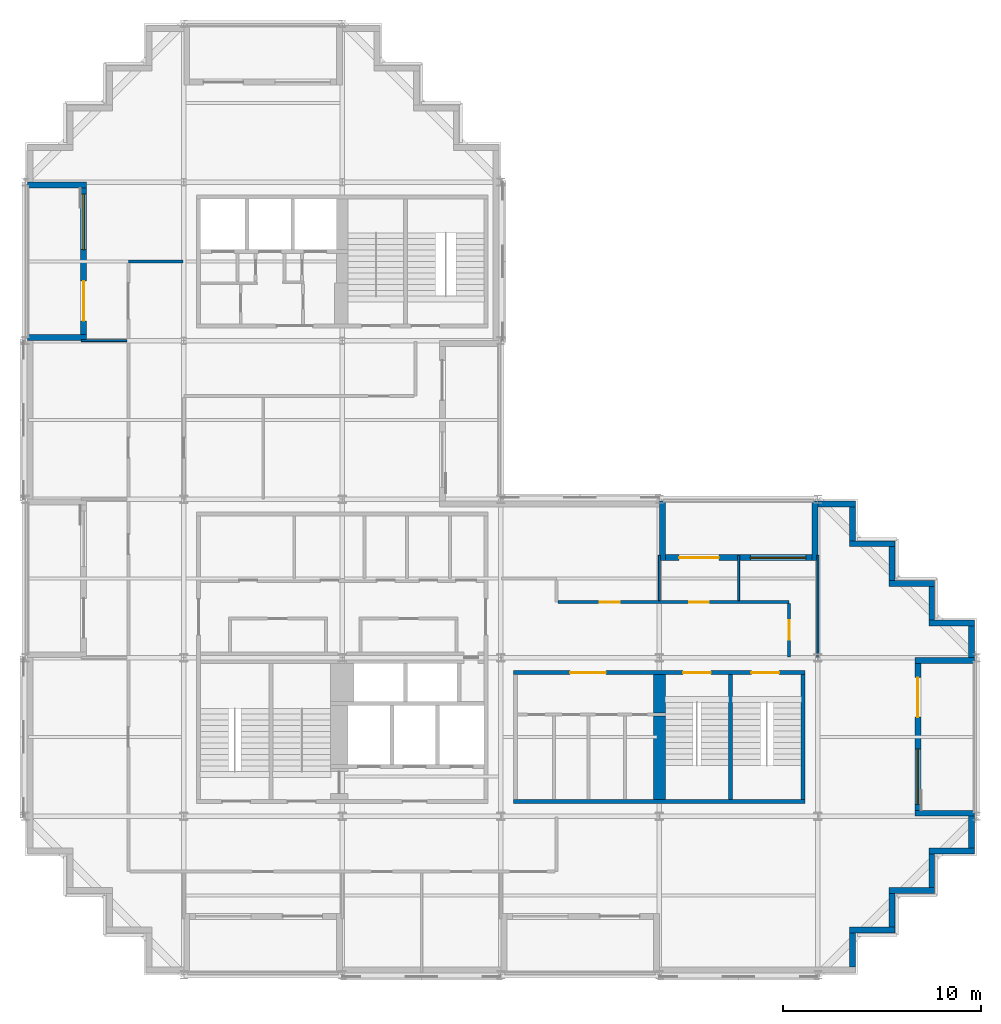
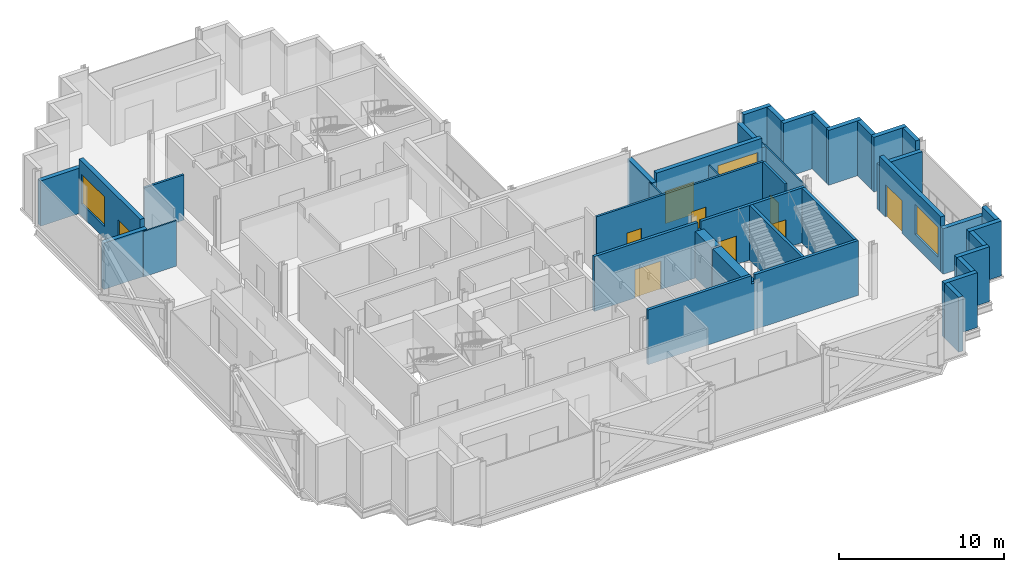
# One storey, part 7 of 10: 37 walls, 9 doors, 3 windows, 12 openings.
"""IFC4 building model written with IfcOpenShell, lengths in metres."""

from ifc_helpers import new_model, si_unit, direction, frame, frame_2d, origin, place, context, subcontext, project, spatial, polyline, rectangle, outline, extrude, material, layer, layer_set, type_object, element, fill, save


model = new_model("IFC4")

# Units and contexts
model_context = context("Model", 3, precision=1e-05, world=origin(), true_north=direction((0.0, 1.0)))
body_context = subcontext(model_context, "Body", "Model", "MODEL_VIEW")
ifc_project = project(units=[si_unit("LENGTHUNIT", "METRE"), si_unit("AREAUNIT", "SQUARE_METRE"), si_unit("VOLUMEUNIT", "CUBIC_METRE"), si_unit("PLANEANGLEUNIT", "RADIAN"), si_unit("MASSUNIT", "GRAM", prefix="KILO")], contexts=[model_context])

# Site, building, storey
site_placement = place(None, origin())
site = spatial("IfcSite", under=ifc_project, at=site_placement, CompositionType="ELEMENT")
building_placement = place(site_placement, origin())
building = spatial("IfcBuilding", under=site, at=building_placement, Name="Immortelle Media Tower", CompositionType="ELEMENT")
storey_placement = place(building_placement, frame((0.0, 0.0, 162.0)))
storey = spatial("IfcBuildingStorey", under=building, at=storey_placement, Name="L33", CompositionType="ELEMENT", Elevation=162.0)

# Wall, opening, door
ifc_material_1 = material(Name="Fire-rated gypsum board", Category="gypsum")
ifc_layer_1 = layer(ifc_material_1, 0.012451171875)
ifc_material_2 = material(Name="Steel ASTM A653 SS Gr 50 stud frame with mineral wool", Category="steel")
ifc_layer_2 = layer(ifc_material_2, 0.125)
ifc_layer_3 = layer(ifc_material_1, 0.012451171875)
ifc_layer_set_1 = layer_set([ifc_layer_1, ifc_layer_2, ifc_layer_3], Name="Steel ASTM A653 SS Gr 50 stud frame with mineral wool")
wall_type_1 = type_object("IfcWallType", Name="Corridor wall 150", PredefinedType="PARTITIONING", material=ifc_layer_set_1)
wall_1_placement = place(storey_placement, frame((38.550048828125, 16.030029296875, 0.0), z_axis=(0.0, 0.0, 1.0), x_axis=(0.0, 1.0, 0.0)))
wall_1 = element("IfcWall", 1, at=wall_1_placement, inside=storey, type_object=wall_type_1, Name="Partition L33-009", PredefinedType="PARTITIONING", context=body_context, shape_type="SweptSolid", body=[
    extrude(rectangle(XDim=2.695068359375, YDim=0.14990234375, at=frame_2d((1.34765625, 0.0))), origin(), (0.0, 0.0, 1.0), 4.050048828125),
])
opening_1_placement = place(wall_1_placement, frame((1.8701171875, 0.0, 0.0), z_axis=(0.0, 0.0, 1.0), x_axis=(-1.0, 0.0, 0.0)))
opening_1 = element("IfcOpeningElement", 2, at=opening_1_placement, cuts=wall_1, Name="Opening C4-F007", PredefinedType="OPENING", context=body_context, shape_type="SweptSolid", body=[
    extrude(rectangle(XDim=1.0, YDim=2.10009765625, at=frame_2d((0.5, 1.050048828125))), frame((0.0, 0.0849609375, 0.0), z_axis=(0.0, -1.0, 0.0), x_axis=(1.0, 0.0, 0.0)), (0.0, 0.0, 1.0), 0.169921875),
])
ifc_material_3 = material(Name="Timber veneered door leaf, galvanised steel frame ASTM A653", Category="steel")
door_type_1 = type_object("IfcDoorType", Name="Room door 1000 x 2100", OperationType="NOTDEFINED", PredefinedType="DOOR", material=ifc_material_3)
door_1_placement = place(opening_1_placement, origin())
door_1 = element("IfcDoor", 3, at=door_1_placement, inside=storey, type_object=door_type_1, Name="Door C4-F007", OperationType="SINGLE_SWING_RIGHT", OverallHeight=2.10009765625, OverallWidth=1.0, PredefinedType="DOOR", context=body_context, shape_type="SweptSolid", body=[
    extrude(rectangle(XDim=1.0, YDim=2.10009765625, at=frame_2d((0.5, 1.050048828125))), frame((0.0, 0.02490234375, 0.0), z_axis=(0.0, -1.0, 0.0), x_axis=(1.0, 0.0, 0.0)), (0.0, 0.0, 1.0), 0.050048828125),
])
fill(opening_1, door_1)

# Wall, openings, doors
wall_2_placement = place(storey_placement, frame((26.875, 18.800048828125, 0.0), z_axis=(0.0, 0.0, 1.0), x_axis=(1.0, 0.0, 0.0)))
wall_2 = element("IfcWall", 4, at=wall_2_placement, inside=storey, type_object=wall_type_1, Name="Partition L33-011", PredefinedType="PARTITIONING", context=body_context, shape_type="SweptSolid", body=[
    extrude(rectangle(XDim=11.675048828125, YDim=0.14990234375, at=frame_2d((5.83740234375, 0.0))), origin(), (0.0, 0.0, 1.0), 4.050048828125),
])
opening_2_placement = place(wall_2_placement, frame((6.625, 0.0, 0.0)))
opening_2 = element("IfcOpeningElement", 5, at=opening_2_placement, cuts=wall_2, Name="Opening C4-F006", PredefinedType="OPENING", context=body_context, shape_type="SweptSolid", body=[
    extrude(rectangle(XDim=1.0, YDim=2.10009765625, at=frame_2d((0.5, 1.050048828125))), frame((0.0, 0.0849609375, 0.0), z_axis=(0.0, -1.0, 0.0), x_axis=(1.0, 0.0, 0.0)), (0.0, 0.0, 1.0), 0.169921875),
])
opening_3_placement = place(wall_2_placement, frame((2.125, 0.0, 0.0)))
opening_3 = element("IfcOpeningElement", 6, at=opening_3_placement, cuts=wall_2, Name="Opening C4-F009", PredefinedType="OPENING", context=body_context, shape_type="SweptSolid", body=[
    extrude(rectangle(XDim=1.0, YDim=2.10009765625, at=frame_2d((0.5, 1.050048828125))), frame((0.0, 0.0849609375, 0.0), z_axis=(0.0, -1.0, 0.0), x_axis=(1.0, 0.0, 0.0)), (0.0, 0.0, 1.0), 0.169921875),
])
door_2_placement = place(opening_2_placement, origin())
door_2 = element("IfcDoor", 7, at=door_2_placement, inside=storey, type_object=door_type_1, Name="Door C4-F006", OperationType="SINGLE_SWING_RIGHT", OverallHeight=2.10009765625, OverallWidth=1.0, PredefinedType="DOOR", context=body_context, shape_type="SweptSolid", body=[
    extrude(rectangle(XDim=1.0, YDim=2.10009765625, at=frame_2d((0.5, 1.050048828125))), frame((0.0, 0.02490234375, 0.0), z_axis=(0.0, -1.0, 0.0), x_axis=(1.0, 0.0, 0.0)), (0.0, 0.0, 1.0), 0.050048828125),
])
fill(opening_2, door_2)
door_3_placement = place(opening_3_placement, origin())
door_3 = element("IfcDoor", 8, at=door_3_placement, inside=storey, type_object=door_type_1, Name="Door C4-F009", OperationType="SINGLE_SWING_LEFT", OverallHeight=2.10009765625, OverallWidth=1.0, PredefinedType="DOOR", context=body_context, shape_type="SweptSolid", body=[
    extrude(rectangle(XDim=1.0, YDim=2.10009765625, at=frame_2d((0.5, 1.050048828125))), frame((0.0, 0.02490234375, 0.0), z_axis=(0.0, -1.0, 0.0), x_axis=(1.0, 0.0, 0.0)), (0.0, 0.0, 1.0), 0.050048828125),
])
fill(opening_3, door_3)

# Walls
wall_3_placement = place(storey_placement, frame((5.199951171875, 36.0, 0.0), z_axis=(0.0, 0.0, 1.0), x_axis=(1.0, 0.0, 0.0)))
element("IfcWall", 9, at=wall_3_placement, inside=storey, type_object=wall_type_1, Name="Partition L33-022", PredefinedType="PARTITIONING", context=body_context, shape_type="SweptSolid", body=[
    extrude(rectangle(XDim=2.77001953125, YDim=0.14990234375, at=frame_2d((1.385009765625, 0.0))), origin(), (0.0, 0.0, 1.0), 3.35400390625),
])
ifc_material_4 = material(Name="Pale aluminium cladding panel", Category="aluminium")
ifc_layer_4 = layer(ifc_material_4, 0.030029296875)
ifc_layer_5 = layer(ifc_material_2, 0.257568359375)
ifc_material_5 = material(Name="Moisture-resistant gypsum board", Category="gypsum")
ifc_layer_6 = layer(ifc_material_5, 0.012451171875)
ifc_layer_set_2 = layer_set([ifc_layer_4, ifc_layer_5, ifc_layer_6], Name="Steel ASTM A653 SS Gr 50 stud frame with mineral wool")
wall_type_2 = type_object("IfcWallType", Name="Facade wall 300", PredefinedType="SOLIDWALL", material=ifc_layer_set_2)
wall_4_placement = place(storey_placement, frame((41.75, 0.39990234375, 0.0), z_axis=(0.0, 0.0, 1.0), x_axis=(0.0, 1.0, 0.0)))
element("IfcWall", 10, at=wall_4_placement, inside=storey, type_object=wall_type_2, Name="Facade wall L33 E7", PredefinedType="SOLIDWALL", context=body_context, shape_type="SweptSolid", body=[
    extrude(rectangle(XDim=1.7001953125, YDim=0.300048828125, at=frame_2d((0.85009765625, 0.0))), origin(), (0.0, 0.0, 1.0), 4.050048828125),
])
wall_5_placement = place(storey_placement, frame((41.60009765625, 2.25, 0.0), z_axis=(0.0, 0.0, 1.0), x_axis=(1.0, 0.0, 0.0)))
element("IfcWall", 11, at=wall_5_placement, inside=storey, type_object=wall_type_2, Name="Facade wall L33 S8", PredefinedType="SOLIDWALL", context=body_context, shape_type="SweptSolid", body=[
    extrude(rectangle(XDim=2.2998046875, YDim=0.300048828125, at=frame_2d((1.14990234375, 0.0))), origin(), (0.0, 0.0, 1.0), 4.050048828125),
])
wall_6_placement = place(storey_placement, frame((43.75, 2.39990234375, 0.0), z_axis=(0.0, 0.0, 1.0), x_axis=(0.0, 1.0, 0.0)))
element("IfcWall", 12, at=wall_6_placement, inside=storey, type_object=wall_type_2, Name="Facade wall L33 E9", PredefinedType="SOLIDWALL", context=body_context, shape_type="SweptSolid", body=[
    extrude(rectangle(XDim=1.7001953125, YDim=0.300048828125, at=frame_2d((0.85009765625, 0.0))), origin(), (0.0, 0.0, 1.0), 4.050048828125),
])
wall_7_placement = place(storey_placement, frame((43.60009765625, 4.25, 0.0), z_axis=(0.0, 0.0, 1.0), x_axis=(1.0, 0.0, 0.0)))
element("IfcWall", 13, at=wall_7_placement, inside=storey, type_object=wall_type_2, Name="Facade wall L33 S10", PredefinedType="SOLIDWALL", context=body_context, shape_type="SweptSolid", body=[
    extrude(rectangle(XDim=2.2998046875, YDim=0.300048828125, at=frame_2d((1.14990234375, 0.0))), origin(), (0.0, 0.0, 1.0), 4.050048828125),
])
wall_8_placement = place(storey_placement, frame((45.75, 4.39990234375, 0.0), z_axis=(0.0, 0.0, 1.0), x_axis=(0.0, 1.0, 0.0)))
element("IfcWall", 14, at=wall_8_placement, inside=storey, type_object=wall_type_2, Name="Facade wall L33 E11", PredefinedType="SOLIDWALL", context=body_context, shape_type="SweptSolid", body=[
    extrude(rectangle(XDim=1.7001953125, YDim=0.300048828125, at=frame_2d((0.85009765625, 0.0))), origin(), (0.0, 0.0, 1.0), 4.050048828125),
])
wall_9_placement = place(storey_placement, frame((45.60009765625, 6.25, 0.0), z_axis=(0.0, 0.0, 1.0), x_axis=(1.0, 0.0, 0.0)))
element("IfcWall", 15, at=wall_9_placement, inside=storey, type_object=wall_type_2, Name="Facade wall L33 S12", PredefinedType="SOLIDWALL", context=body_context, shape_type="SweptSolid", body=[
    extrude(rectangle(XDim=2.2998046875, YDim=0.300048828125, at=frame_2d((1.14990234375, 0.0))), origin(), (0.0, 0.0, 1.0), 4.050048828125),
])
wall_10_placement = place(storey_placement, frame((47.75, 6.39990234375, 0.0), z_axis=(0.0, 0.0, 1.0), x_axis=(0.0, 1.0, 0.0)))
element("IfcWall", 16, at=wall_10_placement, inside=storey, type_object=wall_type_2, Name="Facade wall L33 E13", PredefinedType="SOLIDWALL", context=body_context, shape_type="SweptSolid", body=[
    extrude(rectangle(XDim=1.60009765625, YDim=0.300048828125, at=frame_2d((0.800048828125, 0.0))), origin(), (0.0, 0.0, 1.0), 4.050048828125),
])

# Wall, openings, door, window
wall_11_placement = place(storey_placement, frame((45.050048828125, 8.300048828125, 0.0), z_axis=(0.0, 0.0, 1.0), x_axis=(0.0, 1.0, 0.0)))
wall_11 = element("IfcWall", 17, at=wall_11_placement, inside=storey, type_object=wall_type_2, Name="Loggia wall L33 E13", PredefinedType="SOLIDWALL", context=body_context, shape_type="SweptSolid", body=[
    extrude(rectangle(XDim=7.39990234375, YDim=0.300048828125, at=frame_2d((3.699951171875, 0.0))), origin(), (0.0, 0.0, 1.0), 4.050048828125),
])
opening_4_placement = place(wall_11_placement, frame((0.300048828125, 0.0, 0.89990234375)))
opening_4 = element("IfcOpeningElement", 18, at=opening_4_placement, cuts=wall_11, Name="Opening W1", PredefinedType="OPENING", context=body_context, shape_type="SweptSolid", body=[
    extrude(rectangle(XDim=2.800048828125, YDim=2.199951171875, at=frame_2d((1.39990234375, 1.10009765625))), frame((0.0, 0.159912109375, 0.0), z_axis=(0.0, -1.0, 0.0), x_axis=(1.0, 0.0, 0.0)), (0.0, 0.0, 1.0), 0.320068359375),
])
opening_5_placement = place(wall_11_placement, frame((4.699951171875, 0.0, 0.0)))
opening_5 = element("IfcOpeningElement", 19, at=opening_5_placement, cuts=wall_11, Name="Opening C4-E003", PredefinedType="OPENING", context=body_context, shape_type="SweptSolid", body=[
    extrude(rectangle(XDim=2.0, YDim=2.39990234375, at=frame_2d((1.0, 1.199951171875))), frame((0.0, 0.159912109375, 0.0), z_axis=(0.0, -1.0, 0.0), x_axis=(1.0, 0.0, 0.0)), (0.0, 0.0, 1.0), 0.320068359375),
])
ifc_material_6 = material(Name="Aluminium frame, glazed leaves", Category="aluminium")
door_type_2 = type_object("IfcDoorType", Name="Loggia door 2000 x 2400", OperationType="DOUBLE_DOOR_SINGLE_SWING", PredefinedType="DOOR", material=ifc_material_6)
door_4_placement = place(opening_5_placement, origin())
door_4 = element("IfcDoor", 20, at=door_4_placement, inside=storey, type_object=door_type_2, Name="Door C4-E003", OperationType="DOUBLE_DOOR_SINGLE_SWING", OverallHeight=2.39990234375, OverallWidth=2.0, PredefinedType="DOOR", context=body_context, shape_type="SweptSolid", body=[
    extrude(rectangle(XDim=2.0, YDim=2.39990234375, at=frame_2d((1.0, 1.199951171875))), frame((0.0, 0.02490234375, 0.0), z_axis=(0.0, -1.0, 0.0), x_axis=(1.0, 0.0, 0.0)), (0.0, 0.0, 1.0), 0.050048828125),
])
fill(opening_5, door_4)
ifc_material_7 = material(Name="Aluminium frame", Category="aluminium")
window_type = type_object("IfcWindowType", Name="Window 2800 x 2200", PartitioningType="SINGLE_PANEL", PredefinedType="WINDOW", material=ifc_material_7)
window_1_placement = place(opening_4_placement, origin())
window_1 = element("IfcWindow", 21, at=window_1_placement, inside=storey, type_object=window_type, Name="Window L33 L33-R13-B0", OverallHeight=2.199951171875, OverallWidth=2.800048828125, PartitioningType="SINGLE_PANEL", PredefinedType="WINDOW", context=body_context, shape_type="SweptSolid", body=[
    extrude(rectangle(XDim=2.800048828125, YDim=2.199951171875, at=frame_2d((1.39990234375, 1.10009765625))), frame((0.0, 0.030029296875, 0.0), z_axis=(0.0, -1.0, 0.0), x_axis=(1.0, 0.0, 0.0)), (0.0, 0.0, 1.0), 0.06005859375),
])
fill(opening_4, window_1)

# Walls
for number, where, z_axis, x_axis, name in (
    (22, (47.89990234375, 8.14990234375, 0.0), (0.0, 0.0, 1.0), (-1.0, 0.0, 0.0), "Loggia cheek wall L33 E"),
    (23, (47.89990234375, 15.85009765625, 0.0), (0.0, 0.0, 1.0), (-1.0, 0.0, 0.0), "Loggia cheek wall L33 E"),
):
    element("IfcWall", number, at=place(storey_placement, frame(where, z_axis=z_axis, x_axis=x_axis)), inside=storey, type_object=wall_type_2, Name=name, PredefinedType="SOLIDWALL", context=body_context, shape_type="SweptSolid", body=[
        extrude(rectangle(XDim=3.0, YDim=0.300048828125, at=frame_2d((1.5, 0.0))), origin(), (0.0, 0.0, 1.0), 3.35302734375),
    ])
wall_12_placement = place(storey_placement, frame((47.75, 16.0, 0.0), z_axis=(0.0, 0.0, 1.0), x_axis=(0.0, 1.0, 0.0)))
element("IfcWall", 24, at=wall_12_placement, inside=storey, type_object=wall_type_2, Name="Facade wall L33 E13", PredefinedType="SOLIDWALL", context=body_context, shape_type="SweptSolid", body=[
    extrude(rectangle(XDim=1.60009765625, YDim=0.300048828125, at=frame_2d((0.800048828125, 0.0))), origin(), (0.0, 0.0, 1.0), 4.050048828125),
])
wall_13_placement = place(storey_placement, frame((47.89990234375, 17.75, 0.0), z_axis=(0.0, 0.0, 1.0), x_axis=(-1.0, 0.0, 0.0)))
element("IfcWall", 25, at=wall_13_placement, inside=storey, type_object=wall_type_2, Name="Facade wall L33 N14", PredefinedType="SOLIDWALL", context=body_context, shape_type="SweptSolid", body=[
    extrude(rectangle(XDim=2.2998046875, YDim=0.300048828125, at=frame_2d((1.14990234375, 0.0))), origin(), (0.0, 0.0, 1.0), 4.050048828125),
])
wall_14_placement = place(storey_placement, frame((45.75, 17.89990234375, 0.0), z_axis=(0.0, 0.0, 1.0), x_axis=(0.0, 1.0, 0.0)))
element("IfcWall", 26, at=wall_14_placement, inside=storey, type_object=wall_type_2, Name="Facade wall L33 E15", PredefinedType="SOLIDWALL", context=body_context, shape_type="SweptSolid", body=[
    extrude(rectangle(XDim=1.7001953125, YDim=0.300048828125, at=frame_2d((0.85009765625, 0.0))), origin(), (0.0, 0.0, 1.0), 4.050048828125),
])
wall_15_placement = place(storey_placement, frame((45.89990234375, 19.75, 0.0), z_axis=(0.0, 0.0, 1.0), x_axis=(-1.0, 0.0, 0.0)))
element("IfcWall", 27, at=wall_15_placement, inside=storey, type_object=wall_type_2, Name="Facade wall L33 N16", PredefinedType="SOLIDWALL", context=body_context, shape_type="SweptSolid", body=[
    extrude(rectangle(XDim=2.2998046875, YDim=0.300048828125, at=frame_2d((1.14990234375, 0.0))), origin(), (0.0, 0.0, 1.0), 4.050048828125),
])
wall_16_placement = place(storey_placement, frame((43.75, 19.89990234375, 0.0), z_axis=(0.0, 0.0, 1.0), x_axis=(0.0, 1.0, 0.0)))
element("IfcWall", 28, at=wall_16_placement, inside=storey, type_object=wall_type_2, Name="Facade wall L33 E17", PredefinedType="SOLIDWALL", context=body_context, shape_type="SweptSolid", body=[
    extrude(rectangle(XDim=1.7001953125, YDim=0.300048828125, at=frame_2d((0.85009765625, 0.0))), origin(), (0.0, 0.0, 1.0), 4.050048828125),
])
wall_17_placement = place(storey_placement, frame((43.89990234375, 21.75, 0.0), z_axis=(0.0, 0.0, 1.0), x_axis=(-1.0, 0.0, 0.0)))
element("IfcWall", 29, at=wall_17_placement, inside=storey, type_object=wall_type_2, Name="Facade wall L33 N18", PredefinedType="SOLIDWALL", context=body_context, shape_type="SweptSolid", body=[
    extrude(rectangle(XDim=2.2998046875, YDim=0.300048828125, at=frame_2d((1.14990234375, 0.0))), origin(), (0.0, 0.0, 1.0), 4.050048828125),
])
wall_18_placement = place(storey_placement, frame((41.75, 21.89990234375, 0.0), z_axis=(0.0, 0.0, 1.0), x_axis=(0.0, 1.0, 0.0)))
element("IfcWall", 30, at=wall_18_placement, inside=storey, type_object=wall_type_2, Name="Facade wall L33 E19", PredefinedType="SOLIDWALL", context=body_context, shape_type="SweptSolid", body=[
    extrude(rectangle(XDim=1.7001953125, YDim=0.300048828125, at=frame_2d((0.85009765625, 0.0))), origin(), (0.0, 0.0, 1.0), 4.050048828125),
])
wall_19_placement = place(storey_placement, frame((41.89990234375, 23.75, 0.0), z_axis=(0.0, 0.0, 1.0), x_axis=(-1.0, 0.0, 0.0)))
element("IfcWall", 31, at=wall_19_placement, inside=storey, type_object=wall_type_2, Name="Facade wall L33 N20", PredefinedType="SOLIDWALL", context=body_context, shape_type="SweptSolid", body=[
    extrude(rectangle(XDim=1.89990234375, YDim=0.300048828125, at=frame_2d((0.949951171875, 0.0))), origin(), (0.0, 0.0, 1.0), 4.050048828125),
])

# Wall, openings, door, window
wall_20_placement = place(storey_placement, frame((39.699951171875, 21.050048828125, 0.0), z_axis=(0.0, 0.0, 1.0), x_axis=(-1.0, 0.0, 0.0)))
wall_20 = element("IfcWall", 32, at=wall_20_placement, inside=storey, type_object=wall_type_2, Name="Loggia wall L33 N20", PredefinedType="SOLIDWALL", context=body_context, shape_type="SweptSolid", body=[
    extrude(rectangle(XDim=7.39990234375, YDim=0.300048828125, at=frame_2d((3.699951171875, 0.0))), origin(), (0.0, 0.0, 1.0), 4.050048828125),
])
opening_6_placement = place(wall_20_placement, frame((0.300048828125, 0.0, 0.89990234375)))
opening_6 = element("IfcOpeningElement", 33, at=opening_6_placement, cuts=wall_20, Name="Opening W1", PredefinedType="OPENING", context=body_context, shape_type="SweptSolid", body=[
    extrude(rectangle(XDim=2.800048828125, YDim=2.199951171875, at=frame_2d((1.39990234375, 1.10009765625))), frame((0.0, 0.159912109375, 0.0), z_axis=(0.0, -1.0, 0.0), x_axis=(1.0, 0.0, 0.0)), (0.0, 0.0, 1.0), 0.320068359375),
])
opening_7_placement = place(wall_20_placement, frame((4.699951171875, 0.0, 0.0)))
opening_7 = element("IfcOpeningElement", 34, at=opening_7_placement, cuts=wall_20, Name="Opening C4-E004", PredefinedType="OPENING", context=body_context, shape_type="SweptSolid", body=[
    extrude(rectangle(XDim=2.0, YDim=2.39990234375, at=frame_2d((1.0, 1.199951171875))), frame((0.0, 0.159912109375, 0.0), z_axis=(0.0, -1.0, 0.0), x_axis=(1.0, 0.0, 0.0)), (0.0, 0.0, 1.0), 0.320068359375),
])
door_5_placement = place(opening_7_placement, origin())
door_5 = element("IfcDoor", 35, at=door_5_placement, inside=storey, type_object=door_type_2, Name="Door C4-E004", OperationType="DOUBLE_DOOR_SINGLE_SWING", OverallHeight=2.39990234375, OverallWidth=2.0, PredefinedType="DOOR", context=body_context, shape_type="SweptSolid", body=[
    extrude(rectangle(XDim=2.0, YDim=2.39990234375, at=frame_2d((1.0, 1.199951171875))), frame((0.0, 0.02490234375, 0.0), z_axis=(0.0, -1.0, 0.0), x_axis=(1.0, 0.0, 0.0)), (0.0, 0.0, 1.0), 0.050048828125),
])
fill(opening_7, door_5)
window_2_placement = place(opening_6_placement, origin())
window_2 = element("IfcWindow", 36, at=window_2_placement, inside=storey, type_object=window_type, Name="Window L33 L33-R20-B0", OverallHeight=2.199951171875, OverallWidth=2.800048828125, PartitioningType="SINGLE_PANEL", PredefinedType="WINDOW", context=body_context, shape_type="SweptSolid", body=[
    extrude(rectangle(XDim=2.800048828125, YDim=2.199951171875, at=frame_2d((1.39990234375, 1.10009765625))), frame((0.0, 0.030029296875, 0.0), z_axis=(0.0, -1.0, 0.0), x_axis=(1.0, 0.0, 0.0)), (0.0, 0.0, 1.0), 0.06005859375),
])
fill(opening_6, window_2)

# Walls
wall_21_placement = place(storey_placement, frame((39.85009765625, 23.89990234375, 0.0), z_axis=(0.0, 0.0, 1.0), x_axis=(0.0, -1.0, 0.0)))
element("IfcWall", 37, at=wall_21_placement, inside=storey, type_object=wall_type_2, Name="Loggia cheek wall L33 N", PredefinedType="SOLIDWALL", context=body_context, shape_type="SweptSolid", body=[
    extrude(rectangle(XDim=3.0, YDim=0.300048828125, at=frame_2d((1.5, 0.0))), origin(), (0.0, 0.0, 1.0), 3.35302734375),
])
wall_22_placement = place(storey_placement, frame((32.14990234375, 23.89990234375, 0.0), z_axis=(0.0, 0.0, 1.0), x_axis=(0.0, -1.0, 0.0)))
element("IfcWall", 38, at=wall_22_placement, inside=storey, type_object=wall_type_2, Name="Loggia cheek wall L33 N", PredefinedType="SOLIDWALL", context=body_context, shape_type="SweptSolid", body=[
    extrude(rectangle(XDim=3.0, YDim=0.300048828125, at=frame_2d((1.5, 0.0))), origin(), (0.0, 0.0, 1.0), 3.43701171875),
])

# Wall, openings, door, window
wall_23_placement = place(storey_placement, frame((2.949951171875, 39.699951171875, 0.0), z_axis=(0.0, 0.0, 1.0), x_axis=(0.0, -1.0, 0.0)))
wall_23 = element("IfcWall", 39, at=wall_23_placement, inside=storey, type_object=wall_type_2, Name="Loggia wall L33 W35", PredefinedType="SOLIDWALL", context=body_context, shape_type="SweptSolid", body=[
    extrude(rectangle(XDim=7.39990234375, YDim=0.300048828125, at=frame_2d((3.699951171875, 0.0))), origin(), (0.0, 0.0, 1.0), 4.050048828125),
])
opening_8_placement = place(wall_23_placement, frame((0.300048828125, 0.0, 0.89990234375)))
opening_8 = element("IfcOpeningElement", 40, at=opening_8_placement, cuts=wall_23, Name="Opening W1", PredefinedType="OPENING", context=body_context, shape_type="SweptSolid", body=[
    extrude(rectangle(XDim=2.800048828125, YDim=2.199951171875, at=frame_2d((1.39990234375, 1.10009765625))), frame((0.0, 0.159912109375, 0.0), z_axis=(0.0, -1.0, 0.0), x_axis=(1.0, 0.0, 0.0)), (0.0, 0.0, 1.0), 0.320068359375),
])
opening_9_placement = place(wall_23_placement, frame((4.699951171875, 0.0, 0.0)))
opening_9 = element("IfcOpeningElement", 41, at=opening_9_placement, cuts=wall_23, Name="Opening C4-E007", PredefinedType="OPENING", context=body_context, shape_type="SweptSolid", body=[
    extrude(rectangle(XDim=2.0, YDim=2.39990234375, at=frame_2d((1.0, 1.199951171875))), frame((0.0, 0.159912109375, 0.0), z_axis=(0.0, -1.0, 0.0), x_axis=(1.0, 0.0, 0.0)), (0.0, 0.0, 1.0), 0.320068359375),
])
door_6_placement = place(opening_9_placement, origin())
door_6 = element("IfcDoor", 42, at=door_6_placement, inside=storey, type_object=door_type_2, Name="Door C4-E007", OperationType="DOUBLE_DOOR_SINGLE_SWING", OverallHeight=2.39990234375, OverallWidth=2.0, PredefinedType="DOOR", context=body_context, shape_type="SweptSolid", body=[
    extrude(rectangle(XDim=2.0, YDim=2.39990234375, at=frame_2d((1.0, 1.199951171875))), frame((0.0, 0.02490234375, 0.0), z_axis=(0.0, -1.0, 0.0), x_axis=(1.0, 0.0, 0.0)), (0.0, 0.0, 1.0), 0.050048828125),
])
fill(opening_9, door_6)
window_3_placement = place(opening_8_placement, origin())
window_3 = element("IfcWindow", 43, at=window_3_placement, inside=storey, type_object=window_type, Name="Window L33 L33-R35-B0", OverallHeight=2.199951171875, OverallWidth=2.800048828125, PartitioningType="SINGLE_PANEL", PredefinedType="WINDOW", context=body_context, shape_type="SweptSolid", body=[
    extrude(rectangle(XDim=2.800048828125, YDim=2.199951171875, at=frame_2d((1.39990234375, 1.10009765625))), frame((0.0, 0.030029296875, 0.0), z_axis=(0.0, -1.0, 0.0), x_axis=(1.0, 0.0, 0.0)), (0.0, 0.0, 1.0), 0.06005859375),
])
fill(opening_8, window_3)

# Walls
wall_24_placement = place(storey_placement, frame((0.10009765625, 39.85009765625, 0.0), z_axis=(0.0, 0.0, 1.0), x_axis=(1.0, 0.0, 0.0)))
element("IfcWall", 44, at=wall_24_placement, inside=storey, type_object=wall_type_2, Name="Loggia cheek wall L33 W", PredefinedType="SOLIDWALL", context=body_context, shape_type="SweptSolid", body=[
    extrude(rectangle(XDim=3.0, YDim=0.300048828125, at=frame_2d((1.5, 0.0))), origin(), (0.0, 0.0, 1.0), 3.35302734375),
])
wall_25_placement = place(storey_placement, frame((0.10009765625, 32.14990234375, 0.0), z_axis=(0.0, 0.0, 1.0), x_axis=(1.0, 0.0, 0.0)))
element("IfcWall", 45, at=wall_25_placement, inside=storey, type_object=wall_type_2, Name="Loggia cheek wall L33 W", PredefinedType="SOLIDWALL", context=body_context, shape_type="SweptSolid", body=[
    extrude(rectangle(XDim=3.0, YDim=0.300048828125, at=frame_2d((1.5, 0.0))), origin(), (0.0, 0.0, 1.0), 3.43701171875),
])
ifc_material_8 = material(Name="Gypsum board", Category="gypsum")
ifc_layer_7 = layer(ifc_material_8, 0.012451171875)
ifc_layer_8 = layer(ifc_material_2, 0.074951171875)
ifc_layer_9 = layer(ifc_material_8, 0.012451171875)
ifc_layer_set_3 = layer_set([ifc_layer_7, ifc_layer_8, ifc_layer_9], Name="Steel ASTM A653 SS Gr 50 stud frame with mineral wool")
wall_type_3 = type_object("IfcWallType", Name="Partition 100", PredefinedType="PARTITIONING", material=ifc_layer_set_3)
wall_26_placement = place(storey_placement, frame((40.0, 16.030029296875, 0.0), z_axis=(0.0, 0.0, 1.0), x_axis=(0.0, 1.0, 0.0)))
element("IfcWall", 46, at=wall_26_placement, inside=storey, type_object=wall_type_3, Name="Partition L33-010", PredefinedType="PARTITIONING", context=body_context, shape_type="SweptSolid", body=[
    extrude(rectangle(XDim=5.139892578125, YDim=0.10009765625, at=frame_2d((2.56982421875, 0.0))), origin(), (0.0, 0.0, 1.0), 3.35400390625),
])
for number, where, z_axis, x_axis, name in (
    (47, (32.0, 18.875, 0.0), (0.0, 0.0, 1.0), (0.0, 1.0, 0.0), "Partition L33-013"),
    (48, (36.0, 18.875, 0.0), (0.0, 0.0, 1.0), (0.0, 1.0, 0.0), "Partition L33-014"),
    (49, (2.830078125, 32.0, 0.0), (0.0, 0.0, 1.0), (1.0, 0.0, 0.0), "Partition L33-021"),
):
    element("IfcWall", number, at=place(storey_placement, frame(where, z_axis=z_axis, x_axis=x_axis)), inside=storey, type_object=wall_type_3, Name=name, PredefinedType="PARTITIONING", context=body_context, shape_type="SweptSolid", body=[
        extrude(rectangle(XDim=2.294921875, YDim=0.10009765625, at=frame_2d((1.1474609375, 0.0))), origin(), (0.0, 0.0, 1.0), 3.35400390625),
    ])
ifc_material_9 = material(Name="Concrete C60", Category="concrete")
ifc_layer_10 = layer(ifc_material_9, 0.199951171875)
ifc_layer_set_4 = layer_set([ifc_layer_10], Name="Concrete C60")
wall_type_4 = type_object("IfcWallType", Name="Stair shaft wall 200", PredefinedType="PARTITIONING", material=ifc_layer_set_4)
wall_27_placement = place(storey_placement, frame((24.64990234375, 8.75, 0.0), z_axis=(0.0, 0.0, 1.0), x_axis=(1.0, 0.0, 0.0)))
element("IfcWall", 50, at=wall_27_placement, inside=storey, type_object=wall_type_4, Name="Stair shaft wall SE", PredefinedType="PARTITIONING", context=body_context, shape_type="SweptSolid", body=[
    extrude(outline(polyline([(0.0, 0.0), (14.7001953125, 0.0), (14.699951171875, 4.050048828125), (7.468994140625, 4.050048828125), (7.468017578125, 3.44189453125), (7.23193359375, 3.44189453125), (7.23095703125, 4.050048828125), (0.0, 4.050048828125), (0.0, 0.0)])), frame((0.0, 0.10009765625, 0.0), z_axis=(0.0, -1.0, 0.0), x_axis=(1.0, 0.0, 0.0)), (0.0, 0.0, 1.0), 0.199951171875),
])

# Wall, openings, doors
wall_28_placement = place(storey_placement, frame((24.64990234375, 15.25, 0.0), z_axis=(0.0, 0.0, 1.0), x_axis=(1.0, 0.0, 0.0)))
wall_28 = element("IfcWall", 51, at=wall_28_placement, inside=storey, type_object=wall_type_4, Name="Stair shaft wall SE", PredefinedType="PARTITIONING", context=body_context, shape_type="SweptSolid", body=[
    extrude(outline(polyline([(0.0, 0.0), (14.7001953125, 0.0), (14.699951171875, 4.050048828125), (7.468994140625, 4.050048828125), (7.468017578125, 3.44189453125), (7.23193359375, 3.44189453125), (7.23095703125, 4.050048828125), (0.0, 4.050048828125), (0.0, 0.0)])), frame((0.0, 0.10009765625, 0.0), z_axis=(0.0, -1.0, 0.0), x_axis=(1.0, 0.0, 0.0)), (0.0, 0.0, 1.0), 0.199951171875),
])
opening_10_placement = place(wall_28_placement, frame((2.85009765625, 0.0, 0.0)))
opening_10 = element("IfcOpeningElement", 52, at=opening_10_placement, cuts=wall_28, Name="Opening C4-K020", PredefinedType="OPENING", context=body_context, shape_type="SweptSolid", body=[
    extrude(rectangle(XDim=1.800048828125, YDim=2.10009765625, at=frame_2d((0.89990234375, 1.050048828125))), frame((0.0, 0.10986328125, 0.0), z_axis=(0.0, -1.0, 0.0), x_axis=(1.0, 0.0, 0.0)), (0.0, 0.0, 1.0), 0.219970703125),
])
opening_11_placement = place(wall_28_placement, frame((9.949951171875, 0.0, 0.0), z_axis=(0.0, 0.0, 1.0), x_axis=(-1.0, 0.0, 0.0)))
opening_11 = element("IfcOpeningElement", 53, at=opening_11_placement, cuts=wall_28, Name="Opening C4-K023", PredefinedType="OPENING", context=body_context, shape_type="SweptSolid", body=[
    extrude(rectangle(XDim=1.39990234375, YDim=2.10009765625, at=frame_2d((0.699951171875, 1.050048828125))), frame((0.0, 0.10986328125, 0.0), z_axis=(0.0, -1.0, 0.0), x_axis=(1.0, 0.0, 0.0)), (0.0, 0.0, 1.0), 0.219970703125),
])
opening_12_placement = place(wall_28_placement, frame((13.39990234375, 0.0, 0.0), z_axis=(0.0, 0.0, 1.0), x_axis=(-1.0, 0.0, 0.0)))
opening_12 = element("IfcOpeningElement", 54, at=opening_12_placement, cuts=wall_28, Name="Opening C4-K024", PredefinedType="OPENING", context=body_context, shape_type="SweptSolid", body=[
    extrude(rectangle(XDim=1.39990234375, YDim=2.10009765625, at=frame_2d((0.699951171875, 1.050048828125))), frame((0.0, 0.10986328125, 0.0), z_axis=(0.0, -1.0, 0.0), x_axis=(1.0, 0.0, 0.0)), (0.0, 0.0, 1.0), 0.219970703125),
])
ifc_material_10 = material(Name="Galvanised steel door leaf and frame ASTM A653", Category="steel")
door_type_3 = type_object("IfcDoorType", Name="Lift lobby door 1800 x 2100", OperationType="DOUBLE_DOOR_SINGLE_SWING", PredefinedType="NOTDEFINED", material=ifc_material_10)
door_7_placement = place(opening_10_placement, origin())
door_7 = element("IfcDoor", 55, at=door_7_placement, inside=storey, type_object=door_type_3, Name="Lift lobby C4-K020", OperationType="DOUBLE_DOOR_SINGLE_SWING", OverallHeight=2.10009765625, OverallWidth=1.800048828125, PredefinedType="NOTDEFINED", context=body_context, shape_type="SweptSolid", body=[
    extrude(rectangle(XDim=1.800048828125, YDim=2.10009765625, at=frame_2d((0.89990234375, 1.050048828125))), frame((0.0, 0.02490234375, 0.0), z_axis=(0.0, -1.0, 0.0), x_axis=(1.0, 0.0, 0.0)), (0.0, 0.0, 1.0), 0.050048828125),
])
fill(opening_10, door_7)
door_type_4 = type_object("IfcDoorType", Name="Stair door 1400 x 2100", OperationType="DOUBLE_DOOR_SINGLE_SWING", PredefinedType="NOTDEFINED", material=ifc_material_10)
door_8_placement = place(opening_11_placement, origin())
door_8 = element("IfcDoor", 56, at=door_8_placement, inside=storey, type_object=door_type_4, Name="Stair C4-K023", OperationType="DOUBLE_DOOR_SINGLE_SWING", OverallHeight=2.10009765625, OverallWidth=1.39990234375, PredefinedType="NOTDEFINED", context=body_context, shape_type="SweptSolid", body=[
    extrude(rectangle(XDim=1.39990234375, YDim=2.10009765625, at=frame_2d((0.699951171875, 1.050048828125))), frame((0.0, 0.02490234375, 0.0), z_axis=(0.0, -1.0, 0.0), x_axis=(1.0, 0.0, 0.0)), (0.0, 0.0, 1.0), 0.050048828125),
])
fill(opening_11, door_8)
door_9_placement = place(opening_12_placement, origin())
door_9 = element("IfcDoor", 57, at=door_9_placement, inside=storey, type_object=door_type_4, Name="Stair C4-K024", OperationType="DOUBLE_DOOR_SINGLE_SWING", OverallHeight=2.10009765625, OverallWidth=1.39990234375, PredefinedType="NOTDEFINED", context=body_context, shape_type="SweptSolid", body=[
    extrude(rectangle(XDim=1.39990234375, YDim=2.10009765625, at=frame_2d((0.699951171875, 1.050048828125))), frame((0.0, 0.02490234375, 0.0), z_axis=(0.0, -1.0, 0.0), x_axis=(1.0, 0.0, 0.0)), (0.0, 0.0, 1.0), 0.050048828125),
])
fill(opening_12, door_9)

# Walls
for number, where, z_axis, x_axis, name in (
    (58, (35.60009765625, 8.85009765625, 0.0), (0.0, 0.0, 1.0), (0.0, 1.0, 0.0), "Stair shaft wall SE"),
    (59, (39.25, 8.85009765625, 0.0), (0.0, 0.0, 1.0), (0.0, 1.0, 0.0), "Stair shaft wall SE"),
):
    element("IfcWall", number, at=place(storey_placement, frame(where, z_axis=z_axis, x_axis=x_axis)), inside=storey, type_object=wall_type_4, Name=name, PredefinedType="PARTITIONING", context=body_context, shape_type="SweptSolid", body=[
        extrude(rectangle(XDim=6.2998046875, YDim=0.199951171875, at=frame_2d((3.14990234375, 0.0))), origin(), (0.0, 0.0, 1.0), 4.050048828125),
    ])
ifc_layer_11 = layer(ifc_material_9, 0.60009765625)
ifc_layer_set_5 = layer_set([ifc_layer_11], Name="Concrete C60")
wall_type_5 = type_object("IfcWallType", Name="Stair shaft wall 600", PredefinedType="PARTITIONING", material=ifc_layer_set_5)
wall_29_placement = place(storey_placement, frame((32.0, 8.85009765625, 0.0), z_axis=(0.0, 0.0, 1.0), x_axis=(0.0, 1.0, 0.0)))
element("IfcWall", 60, at=wall_29_placement, inside=storey, type_object=wall_type_5, Name="Stair shaft wall SE", PredefinedType="PARTITIONING", context=body_context, shape_type="SweptSolid", body=[
    extrude(rectangle(XDim=4.199951171875, YDim=0.60009765625, at=frame_2d((2.10009765625, 0.0))), origin(), (0.0, 0.0, 1.0), 3.44189453125),
])
wall_30_placement = place(storey_placement, frame((32.0, 13.199951171875, 0.0), z_axis=(0.0, 0.0, 1.0), x_axis=(0.0, 1.0, 0.0)))
element("IfcWall", 61, at=wall_30_placement, inside=storey, type_object=wall_type_5, Name="Stair shaft wall SE", PredefinedType="PARTITIONING", context=body_context, shape_type="SweptSolid", body=[
    extrude(rectangle(XDim=1.949951171875, YDim=0.60009765625, at=frame_2d((0.97509765625, 0.0))), origin(), (0.0, 0.0, 1.0), 3.44189453125),
])

save(model, "model.ifc")
